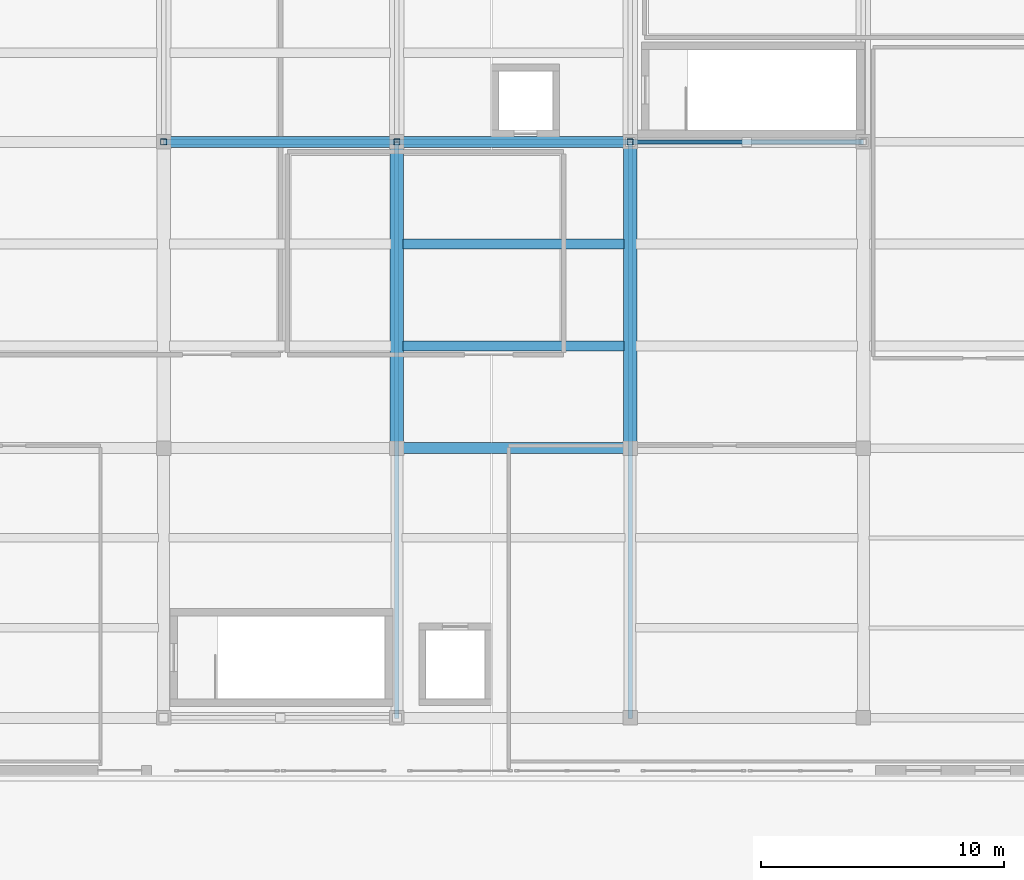
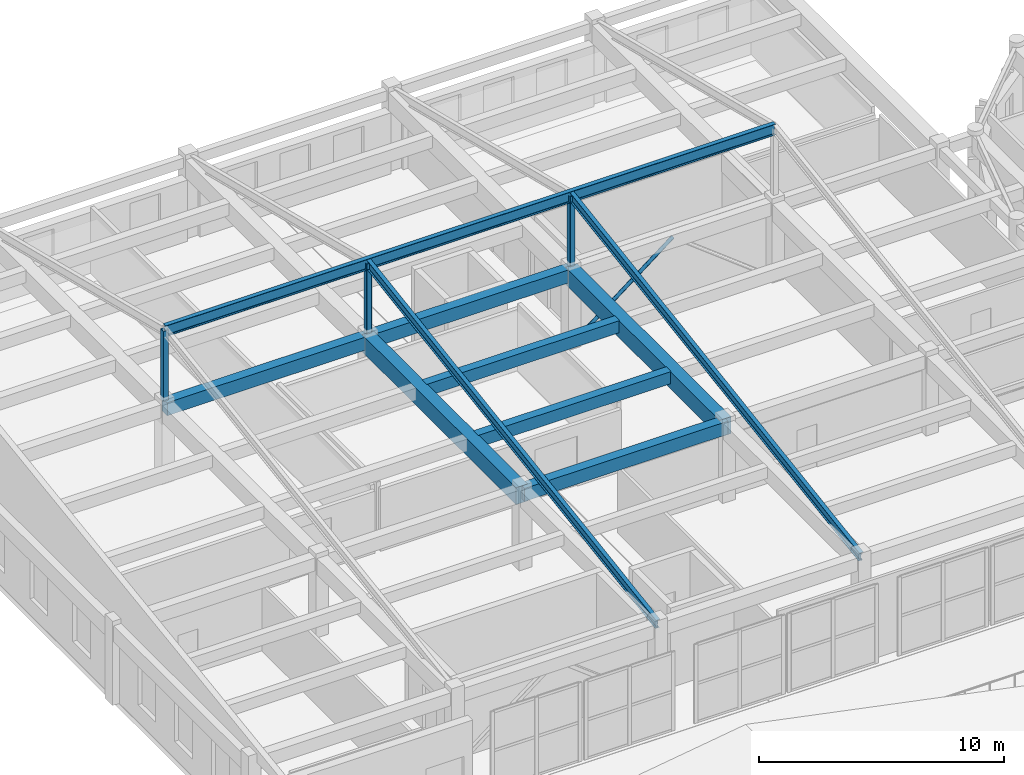
# One storey, part 9 of 29: 10 beams, 4 members.
"""IFC4 building model written with IfcOpenShell, lengths in metres."""

from ifc_helpers import new_model, si_unit, direction, frame, origin, origin_2d, place, context, subcontext, project, spatial, rectangle, hollow_rectangle, hollow_circle, i_section, extrude, material, material_profile, profile_set, type_object, element, save


model = new_model("IFC4")

# Units and contexts
model_context = context("Model", 3, precision=1e-05, world=origin(), true_north=direction((0.0, 1.0)))
body_context = subcontext(model_context, "Body", "Model", "MODEL_VIEW")
ifc_project = project(units=[si_unit("LENGTHUNIT", "METRE"), si_unit("AREAUNIT", "SQUARE_METRE"), si_unit("VOLUMEUNIT", "CUBIC_METRE"), si_unit("PLANEANGLEUNIT", "RADIAN"), si_unit("MASSUNIT", "GRAM", prefix="KILO")], contexts=[model_context])

# Site, building, storey
site_placement = place(None, origin())
site = spatial("IfcSite", under=ifc_project, at=site_placement, CompositionType="ELEMENT")
building_placement = place(site_placement, origin())
building = spatial("IfcBuilding", under=site, at=building_placement, Name="Tarnavel Promenade Courthouse", CompositionType="ELEMENT")
storey_placement = place(building_placement, frame((0.0, 0.0, 22.800048828125)))
storey = spatial("IfcBuildingStorey", under=building, at=storey_placement, Name="L06", CompositionType="ELEMENT", Elevation=22.800048828125)

# Beams
ifc_material_1 = material(Name="Concrete C40/50", Category="concrete")
ifc_material_profile_1 = material_profile(ifc_material_1, rectangle(XDim=0.39990234375, YDim=0.60009765625, at=origin_2d()), Name="PT 400x600")
ifc_profile_set_1 = profile_set([ifc_material_profile_1], Name="Concrete C40/50")
beam_type_1 = type_object("IfcBeamType", Name="Concrete C40/50 BM-PT-400x600 (PT 400x600)", PredefinedType="JOIST", material=ifc_profile_set_1)
for number, where, z_axis, x_axis, name in (
    (1, (19.445068359375, 89.699951171875, 3.6650390625), (1.0, 0.0, 0.0), (0.0, 1.0, 0.0), "L06 Secondary Floor Rib 2486"),
    (2, (19.445068359375, 93.89990234375, 3.6650390625), (1.0, 0.0, 0.0), (0.0, 1.0, 0.0), "L06 Secondary Floor Rib 2487"),
):
    element("IfcBeam", number, at=place(storey_placement, frame(where, z_axis=z_axis, x_axis=x_axis)), inside=storey, type_object=beam_type_1, Name=name, PredefinedType="JOIST", context=body_context, shape_type="SweptSolid", body=[
        extrude(rectangle(XDim=0.39990234375, YDim=0.60009765625, at=origin_2d()), origin(), (0.0, 0.0, 1.0), 9.10986328125),
    ])
ifc_material_profile_2 = material_profile(ifc_material_1, rectangle(XDim=0.550048828125, YDim=0.85009765625, at=origin_2d()), Name="PT 550x850")
ifc_profile_set_2 = profile_set([ifc_material_profile_2], Name="Concrete C40/50")
beam_type_2 = type_object("IfcBeamType", Name="Concrete C40/50 BM-PT-550x850 (PT 550x850)", PredefinedType="T_BEAM", material=ifc_profile_set_2)
for number, where, z_axis, x_axis, name in (
    (3, (19.199951171875, 85.5, 3.5400390625), (0.0, 1.0, 0.0), (-1.0, 0.0, 0.0), "L06 Transverse Girder 2439"),
    (4, (28.800048828125, 85.5, 3.5400390625), (0.0, 1.0, 0.0), (-1.0, 0.0, 0.0), "L06 Transverse Girder 2442"),
):
    element("IfcBeam", number, at=place(storey_placement, frame(where, z_axis=z_axis, x_axis=x_axis)), inside=storey, type_object=beam_type_2, Name=name, PredefinedType="T_BEAM", context=body_context, shape_type="SweptSolid", body=[
        extrude(rectangle(XDim=0.550048828125, YDim=0.85009765625, at=origin_2d()), origin(), (0.0, 0.0, 1.0), 12.60009765625),
    ])
ifc_material_profile_3 = material_profile(ifc_material_1, rectangle(XDim=0.449951171875, YDim=0.64990234375, at=origin_2d()), Name="RC 450x650")
ifc_profile_set_3 = profile_set([ifc_material_profile_3], Name="Concrete C40/50")
beam_type_3 = type_object("IfcBeamType", Name="Concrete C40/50 BM-RC-450x650 (RC 450x650)", PredefinedType="T_BEAM", material=ifc_profile_set_3)
beam_1_placement = place(storey_placement, frame((19.199951171875, 85.5, 3.639892578125), z_axis=(1.0, 0.0, 0.0), x_axis=(0.0, 1.0, 0.0)))
element("IfcBeam", 5, at=beam_1_placement, inside=storey, type_object=beam_type_3, Name="L06 Primary Longitudinal Beam 2403", PredefinedType="T_BEAM", context=body_context, shape_type="SweptSolid", body=[
    extrude(rectangle(XDim=0.449951171875, YDim=0.64990234375, at=origin_2d()), origin(), (0.0, 0.0, 1.0), 9.60009765625),
])
beam_2_placement = place(storey_placement, frame((9.60009765625, 98.10009765625, 3.639892578125), z_axis=(1.0, 0.0, 0.0), x_axis=(0.0, 1.0, 0.0)))
element("IfcBeam", 6, at=beam_2_placement, inside=storey, type_object=beam_type_3, Name="L06 Primary Longitudinal Beam 2417", PredefinedType="T_BEAM", context=body_context, shape_type="SweptSolid", body=[
    extrude(rectangle(XDim=0.449951171875, YDim=0.64990234375, at=origin_2d()), origin(), (0.0, 0.0, 1.0), 9.599853515625),
])
beam_3_placement = place(storey_placement, frame((19.199951171875, 98.10009765625, 3.639892578125), z_axis=(1.0, 0.0, 0.0), x_axis=(0.0, 1.0, 0.0)))
element("IfcBeam", 7, at=beam_3_placement, inside=storey, type_object=beam_type_3, Name="L06 Primary Longitudinal Beam 2418", PredefinedType="T_BEAM", context=body_context, shape_type="SweptSolid", body=[
    extrude(rectangle(XDim=0.449951171875, YDim=0.64990234375, at=origin_2d()), origin(), (0.0, 0.0, 1.0), 9.60009765625),
])
ifc_material_2 = material(Name="Steel S355J2", Category="steel")
ifc_material_profile_4 = material_profile(ifc_material_2, i_section(OverallWidth=0.18994140625, OverallDepth=0.449951171875, WebThickness=0.009521484375, FlangeThickness=0.0146484375, FilletRadius=0.02099609375, at=origin_2d()), Name="IPE 450")
ifc_profile_set_4 = profile_set([ifc_material_profile_4], Name="Steel S355J2")
beam_type_4 = type_object("IfcBeamType", Name="Steel S355J2 BM-ST-IPE450 (IPE 450)", PredefinedType="BEAM", material=ifc_profile_set_4)
for number, where, z_axis, x_axis, name in (
    (8, (19.199951171875, 74.39990234375, 3.800048828125), (0.0, 0.988348381141, 0.152208664325), (-1.0, 0.0, 0.0), "Trial Wing Roof Rafter S"),
    (9, (28.800048828125, 74.39990234375, 3.800048828125), (0.0, 0.988348381141, 0.152208664325), (-1.0, 0.0, 0.0), "Trial Wing Roof Rafter S"),
):
    element("IfcBeam", number, at=place(storey_placement, frame(where, z_axis=z_axis, x_axis=x_axis)), inside=storey, type_object=beam_type_4, Name=name, PredefinedType="BEAM", context=body_context, shape_type="SweptSolid", body=[
        extrude(i_section(OverallWidth=0.18994140625, OverallDepth=0.449951171875, WebThickness=0.009521484375, FlangeThickness=0.0146484375, FilletRadius=0.02099609375, at=origin_2d()), origin(), (0.0, 0.0, 1.0), 23.9794921875),
    ])
ifc_material_profile_5 = material_profile(ifc_material_2, i_section(OverallWidth=0.2099609375, OverallDepth=0.550048828125, WebThickness=0.010986328125, FlangeThickness=0.01708984375, FilletRadius=0.02392578125, at=origin_2d()), Name="IPE 550")
ifc_profile_set_5 = profile_set([ifc_material_profile_5], Name="Steel S355J2")
beam_type_5 = type_object("IfcBeamType", Name="Steel S355J2 BM-ST-IPE550 (IPE 550)", PredefinedType="T_BEAM", material=ifc_profile_set_5)
beam_4_placement = place(storey_placement, frame((9.60009765625, 98.10009765625, 7.449951171875), z_axis=(1.0, 0.0, 0.0), x_axis=(0.0, 1.0, 0.0)))
element("IfcBeam", 10, at=beam_4_placement, inside=storey, type_object=beam_type_5, Name="Trial Wing Roof Ridge Girder", PredefinedType="T_BEAM", context=body_context, shape_type="SweptSolid", body=[
    extrude(i_section(OverallWidth=0.2099609375, OverallDepth=0.550048828125, WebThickness=0.010986328125, FlangeThickness=0.01708984375, FilletRadius=0.02392578125, at=origin_2d()), origin(), (0.0, 0.0, 1.0), 28.7998046875),
])

# Members
ifc_material_profile_6 = material_profile(ifc_material_2, hollow_circle(Radius=0.084228515625, WallThickness=0.008056640625, at=origin_2d()), Name="CHS 168.3x8")
ifc_profile_set_6 = profile_set([ifc_material_profile_6], Name="Steel S355J2")
member_type_1 = type_object("IfcMemberType", Name="Steel S355J2 MEM-BR-CHS168 (CHS 168.3x8)", PredefinedType="BRACE", material=ifc_profile_set_6)
member_placement = place(storey_placement, frame((28.800048828125, 98.10009765625, 0.0), z_axis=(0.790829213189, 0.0, 0.612036890691), x_axis=(0.0, 1.0, 0.0)))
element("IfcMember", 11, at=member_placement, inside=storey, type_object=member_type_1, Name="L06 V2 Chevron Brace A 041", PredefinedType="BRACE", context=body_context, shape_type="SweptSolid", body=[
    extrude(hollow_circle(Radius=0.084228515625, WallThickness=0.008056640625, at=origin_2d()), origin(), (0.0, 0.0, 1.0), 6.069580078125),
])
ifc_material_profile_7 = material_profile(ifc_material_2, hollow_rectangle(XDim=0.25, YDim=0.25, WallThickness=0.012451171875, InnerFilletRadius=0.012451171875, OuterFilletRadius=0.02490234375, at=origin_2d()), Name="SHS 250x250x12.5")
ifc_profile_set_7 = profile_set([ifc_material_profile_7], Name="Steel S355J2")
member_type_2 = type_object("IfcMemberType", Name="Steel S355J2 MEM-STR-SHS250 (SHS 250x250x12.5)", PredefinedType="STRUT", material=ifc_profile_set_7)
for number, where, z_axis, x_axis, name in (
    (12, (9.60009765625, 98.10009765625, 4.0), (0.0, 0.0, 1.0), (1.0, 0.0, 0.0), "Trial Wing Ridge King-Post"),
    (13, (19.199951171875, 98.10009765625, 4.0), (0.0, 0.0, 1.0), (1.0, 0.0, 0.0), "Trial Wing Ridge King-Post"),
    (14, (28.800048828125, 98.10009765625, 4.0), (0.0, 0.0, 1.0), (1.0, 0.0, 0.0), "Trial Wing Ridge King-Post"),
):
    element("IfcMember", number, at=place(storey_placement, frame(where, z_axis=z_axis, x_axis=x_axis)), inside=storey, type_object=member_type_2, Name=name, PredefinedType="STRUT", context=body_context, shape_type="SweptSolid", body=[
        extrude(hollow_rectangle(XDim=0.25, YDim=0.25, WallThickness=0.012451171875, InnerFilletRadius=0.012451171875, OuterFilletRadius=0.02490234375, at=origin_2d()), origin(), (0.0, 0.0, 1.0), 3.5),
    ])

save(model, "model.ifc")
